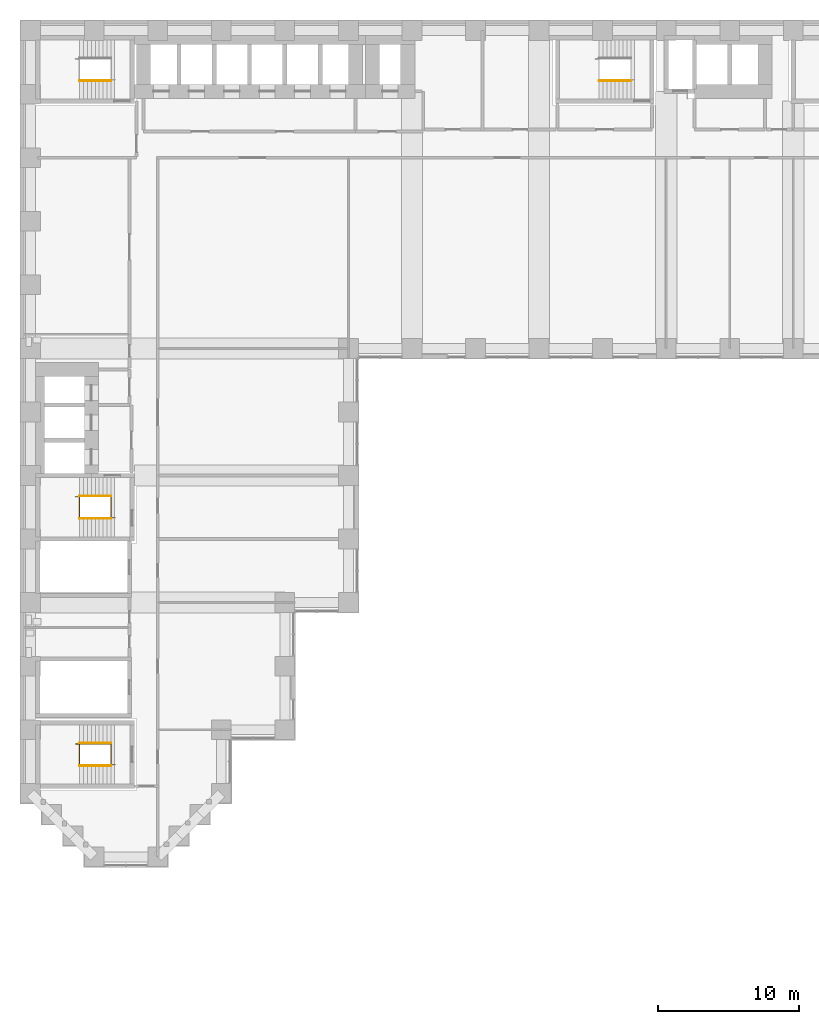
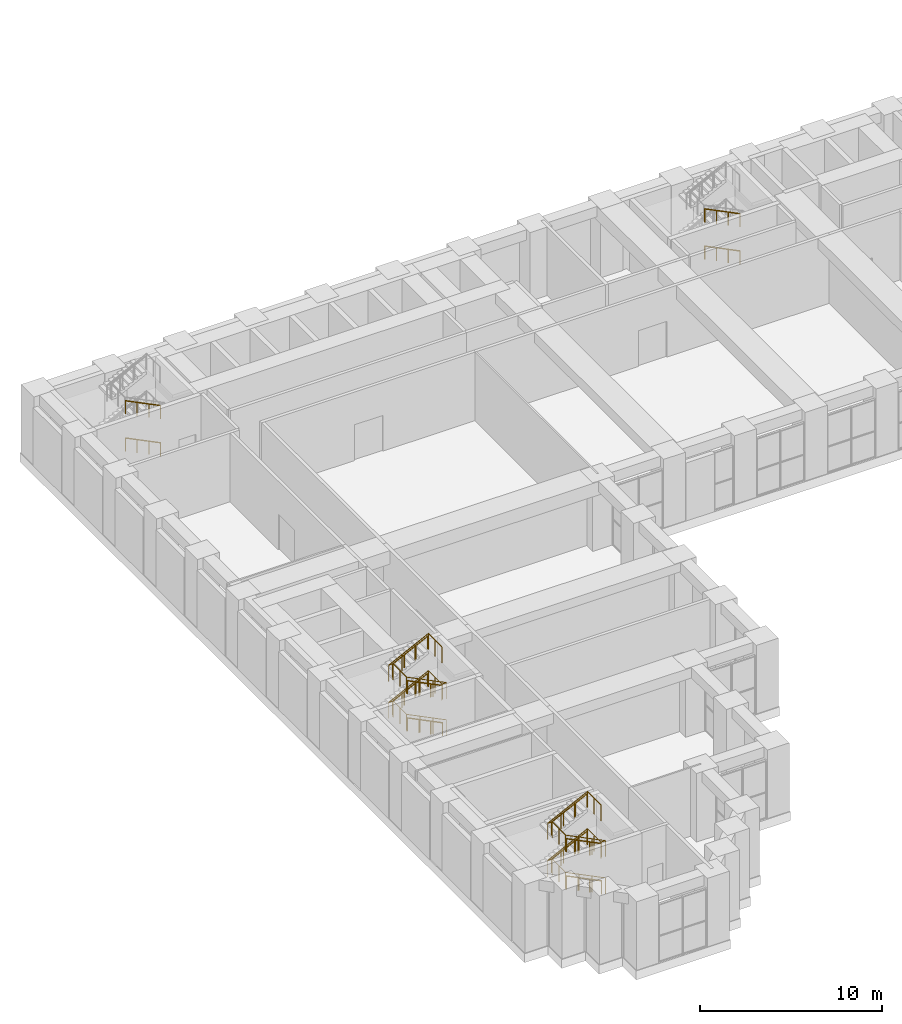
# One storey, part 26 of 30: 14 railings.
"""IFC4 building model written with IfcOpenShell, lengths in metres."""

from ifc_helpers import new_model, si_unit, direction, frame, origin, origin_2d, place, context, subcontext, project, spatial, circle, extrude, material, type_object, element, save


model = new_model("IFC4")

# Units and contexts
model_context = context("Model", 3, precision=1e-05, world=origin(), true_north=direction((0.0, 1.0)))
body_context = subcontext(model_context, "Body", "Model", "MODEL_VIEW")
ifc_project = project(units=[si_unit("LENGTHUNIT", "METRE"), si_unit("AREAUNIT", "SQUARE_METRE"), si_unit("VOLUMEUNIT", "CUBIC_METRE"), si_unit("PLANEANGLEUNIT", "RADIAN"), si_unit("MASSUNIT", "GRAM", prefix="KILO")], contexts=[model_context])

# Site, building, storey
site_placement = place(None, origin())
site = spatial("IfcSite", under=ifc_project, at=site_placement, CompositionType="ELEMENT")
building_placement = place(site_placement, origin())
building = spatial("IfcBuilding", under=site, at=building_placement, Name="Firuza Court", CompositionType="ELEMENT")
storey_placement = place(building_placement, frame((0.0, 0.0, 9.0)))
storey = spatial("IfcBuildingStorey", under=building, at=storey_placement, Name="L01", CompositionType="ELEMENT", Elevation=9.0)

# Railings
ifc_material_1 = material(Name="Steel S355", Category="steel")
railing_type_1 = type_object("IfcRailingType", Name="Handrail 900", PredefinedType="HANDRAIL", material=ifc_material_1)
for number, where, name in (
    (1, (42.5, 54.949951171875, 0.138916015625), "Handrail S1 flight 1"),
    (2, (42.5, 54.949951171875, 2.638916015625), "Handrail S1 flight 3"),
    (3, (5.699951171875, 23.949951171875, 0.138916015625), "Handrail S2 flight 1"),
):
    element("IfcRailing", number, at=place(storey_placement, frame(where)), inside=storey, type_object=railing_type_1, Name=name, PredefinedType="HANDRAIL", context=body_context, shape_type="SweptSolid", body=[
        extrude(circle(Radius=0.02490234375, at=origin_2d()), frame((0.0, 0.0, 0.875), z_axis=(-0.895848192791, 0.0, 0.444360231651), x_axis=(0.0, -1.0, 0.0)), (0.0, 0.0, 1.0), 2.50048828125),
        extrude(circle(Radius=0.02001953125, at=origin_2d()), origin(), (0.0, 0.0, 1.0), 0.849853515625),
        extrude(circle(Radius=0.02001953125, at=origin_2d()), frame((-0.74658203125, 0.0, 0.370361328125)), (0.0, 0.0, 1.0), 0.849853515625),
        extrude(circle(Radius=0.02001953125, at=origin_2d()), frame((-1.493408203125, 0.0, 0.74072265625)), (0.0, 0.0, 1.0), 0.849853515625),
        extrude(circle(Radius=0.02001953125, at=origin_2d()), frame((-2.239990234375, 0.0, 1.111083984375)), (0.0, 0.0, 1.0), 0.849853515625),
    ])
railing_1_placement = place(storey_placement, frame((3.4599609375, 25.550048828125, 1.388916015625)))
element("IfcRailing", 4, at=railing_1_placement, inside=storey, type_object=railing_type_1, Name="Handrail S2 flight 2", PredefinedType="HANDRAIL", context=body_context, shape_type="SweptSolid", body=[
    extrude(circle(Radius=0.02490234375, at=origin_2d()), frame((0.0, 0.0, 0.875), z_axis=(0.895848192791, 0.0, 0.444360231651), x_axis=(0.0, 1.0, 0.0)), (0.0, 0.0, 1.0), 2.50048828125),
    extrude(circle(Radius=0.02001953125, at=origin_2d()), origin(), (0.0, 0.0, 1.0), 0.849853515625),
    extrude(circle(Radius=0.02001953125, at=origin_2d()), frame((0.74658203125, 0.0, 0.370361328125)), (0.0, 0.0, 1.0), 0.849853515625),
    extrude(circle(Radius=0.02001953125, at=origin_2d()), frame((1.493408203125, 0.0, 0.74072265625)), (0.0, 0.0, 1.0), 0.849853515625),
    extrude(circle(Radius=0.02001953125, at=origin_2d()), frame((2.239990234375, 0.0, 1.111083984375)), (0.0, 0.0, 1.0), 0.849853515625),
])
railing_2_placement = place(storey_placement, frame((5.699951171875, 23.949951171875, 2.638916015625)))
element("IfcRailing", 5, at=railing_2_placement, inside=storey, type_object=railing_type_1, Name="Handrail S2 flight 3", PredefinedType="HANDRAIL", context=body_context, shape_type="SweptSolid", body=[
    extrude(circle(Radius=0.02490234375, at=origin_2d()), frame((0.0, 0.0, 0.875), z_axis=(-0.895848192791, 0.0, 0.444360231651), x_axis=(0.0, -1.0, 0.0)), (0.0, 0.0, 1.0), 2.50048828125),
    extrude(circle(Radius=0.02001953125, at=origin_2d()), origin(), (0.0, 0.0, 1.0), 0.849853515625),
    extrude(circle(Radius=0.02001953125, at=origin_2d()), frame((-0.74658203125, 0.0, 0.370361328125)), (0.0, 0.0, 1.0), 0.849853515625),
    extrude(circle(Radius=0.02001953125, at=origin_2d()), frame((-1.493408203125, 0.0, 0.74072265625)), (0.0, 0.0, 1.0), 0.849853515625),
    extrude(circle(Radius=0.02001953125, at=origin_2d()), frame((-2.239990234375, 0.0, 1.111083984375)), (0.0, 0.0, 1.0), 0.849853515625),
])
railing_3_placement = place(storey_placement, frame((3.4599609375, 25.550048828125, 3.888916015625)))
element("IfcRailing", 6, at=railing_3_placement, inside=storey, type_object=railing_type_1, Name="Handrail S2 flight 4", PredefinedType="HANDRAIL", context=body_context, shape_type="SweptSolid", body=[
    extrude(circle(Radius=0.02490234375, at=origin_2d()), frame((0.0, 0.0, 0.875), z_axis=(0.895848192791, 0.0, 0.444360231651), x_axis=(0.0, 1.0, 0.0)), (0.0, 0.0, 1.0), 2.50048828125),
    extrude(circle(Radius=0.02001953125, at=origin_2d()), origin(), (0.0, 0.0, 1.0), 0.849853515625),
    extrude(circle(Radius=0.02001953125, at=origin_2d()), frame((0.74658203125, 0.0, 0.370361328125)), (0.0, 0.0, 1.0), 0.849853515625),
    extrude(circle(Radius=0.02001953125, at=origin_2d()), frame((1.493408203125, 0.0, 0.74072265625)), (0.0, 0.0, 1.0), 0.849853515625),
    extrude(circle(Radius=0.02001953125, at=origin_2d()), frame((2.239990234375, 0.0, 1.111083984375)), (0.0, 0.0, 1.0), 0.849853515625),
])
for number, where, name in (
    (7, (5.699951171875, 54.949951171875, 0.138916015625), "Handrail S3 flight 1"),
    (8, (5.699951171875, 54.949951171875, 2.638916015625), "Handrail S3 flight 3"),
    (9, (5.699951171875, 6.449951171875, 0.138916015625), "Handrail S5 flight 1"),
):
    element("IfcRailing", number, at=place(storey_placement, frame(where)), inside=storey, type_object=railing_type_1, Name=name, PredefinedType="HANDRAIL", context=body_context, shape_type="SweptSolid", body=[
        extrude(circle(Radius=0.02490234375, at=origin_2d()), frame((0.0, 0.0, 0.875), z_axis=(-0.895848192791, 0.0, 0.444360231651), x_axis=(0.0, -1.0, 0.0)), (0.0, 0.0, 1.0), 2.50048828125),
        extrude(circle(Radius=0.02001953125, at=origin_2d()), origin(), (0.0, 0.0, 1.0), 0.849853515625),
        extrude(circle(Radius=0.02001953125, at=origin_2d()), frame((-0.74658203125, 0.0, 0.370361328125)), (0.0, 0.0, 1.0), 0.849853515625),
        extrude(circle(Radius=0.02001953125, at=origin_2d()), frame((-1.493408203125, 0.0, 0.74072265625)), (0.0, 0.0, 1.0), 0.849853515625),
        extrude(circle(Radius=0.02001953125, at=origin_2d()), frame((-2.239990234375, 0.0, 1.111083984375)), (0.0, 0.0, 1.0), 0.849853515625),
    ])
railing_4_placement = place(storey_placement, frame((3.4599609375, 8.050048828125, 1.388916015625)))
element("IfcRailing", 10, at=railing_4_placement, inside=storey, type_object=railing_type_1, Name="Handrail S5 flight 2", PredefinedType="HANDRAIL", context=body_context, shape_type="SweptSolid", body=[
    extrude(circle(Radius=0.02490234375, at=origin_2d()), frame((0.0, 0.0, 0.875), z_axis=(0.895848192791, 0.0, 0.444360231651), x_axis=(0.0, 1.0, 0.0)), (0.0, 0.0, 1.0), 2.50048828125),
    extrude(circle(Radius=0.02001953125, at=origin_2d()), origin(), (0.0, 0.0, 1.0), 0.849853515625),
    extrude(circle(Radius=0.02001953125, at=origin_2d()), frame((0.74658203125, 0.0, 0.370361328125)), (0.0, 0.0, 1.0), 0.849853515625),
    extrude(circle(Radius=0.02001953125, at=origin_2d()), frame((1.493408203125, 0.0, 0.74072265625)), (0.0, 0.0, 1.0), 0.849853515625),
    extrude(circle(Radius=0.02001953125, at=origin_2d()), frame((2.239990234375, 0.0, 1.111083984375)), (0.0, 0.0, 1.0), 0.849853515625),
])
railing_5_placement = place(storey_placement, frame((5.699951171875, 6.449951171875, 2.638916015625)))
element("IfcRailing", 11, at=railing_5_placement, inside=storey, type_object=railing_type_1, Name="Handrail S5 flight 3", PredefinedType="HANDRAIL", context=body_context, shape_type="SweptSolid", body=[
    extrude(circle(Radius=0.02490234375, at=origin_2d()), frame((0.0, 0.0, 0.875), z_axis=(-0.895848192791, 0.0, 0.444360231651), x_axis=(0.0, -1.0, 0.0)), (0.0, 0.0, 1.0), 2.50048828125),
    extrude(circle(Radius=0.02001953125, at=origin_2d()), origin(), (0.0, 0.0, 1.0), 0.849853515625),
    extrude(circle(Radius=0.02001953125, at=origin_2d()), frame((-0.74658203125, 0.0, 0.370361328125)), (0.0, 0.0, 1.0), 0.849853515625),
    extrude(circle(Radius=0.02001953125, at=origin_2d()), frame((-1.493408203125, 0.0, 0.74072265625)), (0.0, 0.0, 1.0), 0.849853515625),
    extrude(circle(Radius=0.02001953125, at=origin_2d()), frame((-2.239990234375, 0.0, 1.111083984375)), (0.0, 0.0, 1.0), 0.849853515625),
])
railing_6_placement = place(storey_placement, frame((3.4599609375, 8.050048828125, 3.888916015625)))
element("IfcRailing", 12, at=railing_6_placement, inside=storey, type_object=railing_type_1, Name="Handrail S5 flight 4", PredefinedType="HANDRAIL", context=body_context, shape_type="SweptSolid", body=[
    extrude(circle(Radius=0.02490234375, at=origin_2d()), frame((0.0, 0.0, 0.875), z_axis=(0.895848192791, 0.0, 0.444360231651), x_axis=(0.0, 1.0, 0.0)), (0.0, 0.0, 1.0), 2.50048828125),
    extrude(circle(Radius=0.02001953125, at=origin_2d()), origin(), (0.0, 0.0, 1.0), 0.849853515625),
    extrude(circle(Radius=0.02001953125, at=origin_2d()), frame((0.74658203125, 0.0, 0.370361328125)), (0.0, 0.0, 1.0), 0.849853515625),
    extrude(circle(Radius=0.02001953125, at=origin_2d()), frame((1.493408203125, 0.0, 0.74072265625)), (0.0, 0.0, 1.0), 0.849853515625),
    extrude(circle(Radius=0.02001953125, at=origin_2d()), frame((2.239990234375, 0.0, 1.111083984375)), (0.0, 0.0, 1.0), 0.849853515625),
])
ifc_material_2 = material(Name="Steel S355", Category="steel")
railing_type_2 = type_object("IfcRailingType", Name="Stair guard 1100", PredefinedType="GUARDRAIL", material=ifc_material_2)
railing_7_placement = place(storey_placement, frame((5.97998046875, 24.010009765625, 0.0)))
element("IfcRailing", 13, at=railing_7_placement, inside=storey, type_object=railing_type_2, Name="Stair well guard S2", PredefinedType="GUARDRAIL", context=body_context, shape_type="SweptSolid", body=[
    extrude(circle(Radius=0.02490234375, at=origin_2d()), frame((0.0, 0.0, 1.0751953125), z_axis=(-0.89584601627, 0.0, 0.44436461958), x_axis=(0.0, -1.0, 0.0)), (0.0, 0.0, 1.0), 2.81298828125),
    extrude(circle(Radius=0.02490234375, at=origin_2d()), frame((-2.52001953125, 0.0, 2.3251953125), z_axis=(0.0, 1.0, 0.0), x_axis=(-1.0, 0.0, 0.0)), (0.0, 0.0, 1.0), 1.47998046875),
    extrude(circle(Radius=0.02490234375, at=origin_2d()), frame((-2.52001953125, 1.47998046875, 2.3251953125), z_axis=(-1.0, 0.0, 0.0), x_axis=(0.0, -1.0, 0.0)), (0.0, 0.0, 1.0), 0.280029296875),
    extrude(circle(Radius=0.02490234375, at=origin_2d()), frame((-2.800048828125, 1.47998046875, 2.3251953125), z_axis=(0.89584601627, 0.0, 0.44436461958), x_axis=(0.0, 1.0, 0.0)), (0.0, 0.0, 1.0), 2.81298828125),
    extrude(circle(Radius=0.02490234375, at=origin_2d()), frame((-0.280029296875, 1.47998046875, 3.5751953125), z_axis=(0.0, -1.0, 0.0), x_axis=(1.0, 0.0, 0.0)), (0.0, 0.0, 1.0), 1.47998046875),
    extrude(circle(Radius=0.02490234375, at=origin_2d()), frame((-0.280029296875, 0.0, 3.5751953125), z_axis=(1.0, 0.0, 0.0), x_axis=(0.0, 1.0, 0.0)), (0.0, 0.0, 1.0), 0.280029296875),
    extrude(circle(Radius=0.02490234375, at=origin_2d()), frame((0.0, 0.0, 3.5751953125), z_axis=(-0.89584601627, 0.0, 0.44436461958), x_axis=(0.0, -1.0, 0.0)), (0.0, 0.0, 1.0), 2.81298828125),
    extrude(circle(Radius=0.02490234375, at=origin_2d()), frame((-2.52001953125, 0.0, 4.8251953125), z_axis=(0.0, 1.0, 0.0), x_axis=(-1.0, 0.0, 0.0)), (0.0, 0.0, 1.0), 1.47998046875),
    extrude(circle(Radius=0.02490234375, at=origin_2d()), frame((-2.52001953125, 1.47998046875, 4.8251953125), z_axis=(-1.0, 0.0, 0.0), x_axis=(0.0, -1.0, 0.0)), (0.0, 0.0, 1.0), 0.280029296875),
    extrude(circle(Radius=0.02490234375, at=origin_2d()), frame((-2.800048828125, 1.47998046875, 4.8251953125), z_axis=(0.89584601627, 0.0, 0.44436461958), x_axis=(0.0, 1.0, 0.0)), (0.0, 0.0, 1.0), 2.81298828125),
    extrude(circle(Radius=0.02490234375, at=origin_2d()), frame((-0.280029296875, 1.47998046875, 6.0751953125), z_axis=(0.0, -1.0, 0.0), x_axis=(1.0, 0.0, 0.0)), (0.0, 0.0, 1.0), 1.47998046875),
    extrude(circle(Radius=0.02490234375, at=origin_2d()), origin(), (0.0, 0.0, 1.0), 1.050048828125),
    extrude(circle(Radius=0.02490234375, at=origin_2d()), frame((-0.840087890625, 0.0, 0.416748046875)), (0.0, 0.0, 1.0), 1.050048828125),
    extrude(circle(Radius=0.02490234375, at=origin_2d()), frame((-1.679931640625, 0.0, 0.833251953125)), (0.0, 0.0, 1.0), 1.050048828125),
    extrude(circle(Radius=0.02490234375, at=origin_2d()), frame((-2.52001953125, 0.0, 1.25)), (0.0, 0.0, 1.0), 1.050048828125),
    extrude(circle(Radius=0.02490234375, at=origin_2d()), frame((-2.52001953125, 0.739990234375, 1.25)), (0.0, 0.0, 1.0), 1.050048828125),
    extrude(circle(Radius=0.02490234375, at=origin_2d()), frame((-2.52001953125, 1.47998046875, 1.25)), (0.0, 0.0, 1.0), 1.050048828125),
    extrude(circle(Radius=0.02490234375, at=origin_2d()), frame((-2.800048828125, 1.47998046875, 1.25)), (0.0, 0.0, 1.0), 1.050048828125),
    extrude(circle(Radius=0.02490234375, at=origin_2d()), frame((-1.9599609375, 1.47998046875, 1.666748046875)), (0.0, 0.0, 1.0), 1.050048828125),
    extrude(circle(Radius=0.02490234375, at=origin_2d()), frame((-1.1201171875, 1.47998046875, 2.083251953125)), (0.0, 0.0, 1.0), 1.050048828125),
    extrude(circle(Radius=0.02490234375, at=origin_2d()), frame((-0.280029296875, 1.47998046875, 2.5)), (0.0, 0.0, 1.0), 1.050048828125),
    extrude(circle(Radius=0.02490234375, at=origin_2d()), frame((-0.280029296875, 0.739990234375, 2.5)), (0.0, 0.0, 1.0), 1.050048828125),
    extrude(circle(Radius=0.02490234375, at=origin_2d()), frame((-0.280029296875, 0.0, 2.5)), (0.0, 0.0, 1.0), 1.050048828125),
    extrude(circle(Radius=0.02490234375, at=origin_2d()), frame((0.0, 0.0, 2.5)), (0.0, 0.0, 1.0), 1.050048828125),
    extrude(circle(Radius=0.02490234375, at=origin_2d()), frame((-0.840087890625, 0.0, 2.916748046875)), (0.0, 0.0, 1.0), 1.050048828125),
    extrude(circle(Radius=0.02490234375, at=origin_2d()), frame((-1.679931640625, 0.0, 3.333251953125)), (0.0, 0.0, 1.0), 1.050048828125),
    extrude(circle(Radius=0.02490234375, at=origin_2d()), frame((-2.52001953125, 0.0, 3.75)), (0.0, 0.0, 1.0), 1.050048828125),
    extrude(circle(Radius=0.02490234375, at=origin_2d()), frame((-2.52001953125, 0.739990234375, 3.75)), (0.0, 0.0, 1.0), 1.050048828125),
    extrude(circle(Radius=0.02490234375, at=origin_2d()), frame((-2.52001953125, 1.47998046875, 3.75)), (0.0, 0.0, 1.0), 1.050048828125),
    extrude(circle(Radius=0.02490234375, at=origin_2d()), frame((-2.800048828125, 1.47998046875, 3.75)), (0.0, 0.0, 1.0), 1.050048828125),
    extrude(circle(Radius=0.02490234375, at=origin_2d()), frame((-1.9599609375, 1.47998046875, 4.166748046875)), (0.0, 0.0, 1.0), 1.050048828125),
    extrude(circle(Radius=0.02490234375, at=origin_2d()), frame((-1.1201171875, 1.47998046875, 4.583251953125)), (0.0, 0.0, 1.0), 1.050048828125),
    extrude(circle(Radius=0.02490234375, at=origin_2d()), frame((-0.280029296875, 1.47998046875, 5.0)), (0.0, 0.0, 1.0), 1.050048828125),
    extrude(circle(Radius=0.02490234375, at=origin_2d()), frame((-0.280029296875, 0.739990234375, 5.0)), (0.0, 0.0, 1.0), 1.050048828125),
    extrude(circle(Radius=0.02490234375, at=origin_2d()), frame((-0.280029296875, 0.0, 5.0)), (0.0, 0.0, 1.0), 1.050048828125),
])
railing_8_placement = place(storey_placement, frame((5.97998046875, 6.510009765625, 0.0)))
element("IfcRailing", 14, at=railing_8_placement, inside=storey, type_object=railing_type_2, Name="Stair well guard S5", PredefinedType="GUARDRAIL", context=body_context, shape_type="SweptSolid", body=[
    extrude(circle(Radius=0.02490234375, at=origin_2d()), frame((0.0, 0.0, 1.0751953125), z_axis=(-0.89584601627, 0.0, 0.44436461958), x_axis=(0.0, -1.0, 0.0)), (0.0, 0.0, 1.0), 2.81298828125),
    extrude(circle(Radius=0.02490234375, at=origin_2d()), frame((-2.52001953125, 0.0, 2.3251953125), z_axis=(0.0, 1.0, 0.0), x_axis=(-1.0, 0.0, 0.0)), (0.0, 0.0, 1.0), 1.47998046875),
    extrude(circle(Radius=0.02490234375, at=origin_2d()), frame((-2.52001953125, 1.47998046875, 2.3251953125), z_axis=(-1.0, 0.0, 0.0), x_axis=(0.0, -1.0, 0.0)), (0.0, 0.0, 1.0), 0.280029296875),
    extrude(circle(Radius=0.02490234375, at=origin_2d()), frame((-2.800048828125, 1.47998046875, 2.3251953125), z_axis=(0.89584601627, 0.0, 0.44436461958), x_axis=(0.0, 1.0, 0.0)), (0.0, 0.0, 1.0), 2.81298828125),
    extrude(circle(Radius=0.02490234375, at=origin_2d()), frame((-0.280029296875, 1.47998046875, 3.5751953125), z_axis=(0.0, -1.0, 0.0), x_axis=(1.0, 0.0, 0.0)), (0.0, 0.0, 1.0), 1.47998046875),
    extrude(circle(Radius=0.02490234375, at=origin_2d()), frame((-0.280029296875, 0.0, 3.5751953125), z_axis=(1.0, 0.0, 0.0), x_axis=(0.0, 1.0, 0.0)), (0.0, 0.0, 1.0), 0.280029296875),
    extrude(circle(Radius=0.02490234375, at=origin_2d()), frame((0.0, 0.0, 3.5751953125), z_axis=(-0.89584601627, 0.0, 0.44436461958), x_axis=(0.0, -1.0, 0.0)), (0.0, 0.0, 1.0), 2.81298828125),
    extrude(circle(Radius=0.02490234375, at=origin_2d()), frame((-2.52001953125, 0.0, 4.8251953125), z_axis=(0.0, 1.0, 0.0), x_axis=(-1.0, 0.0, 0.0)), (0.0, 0.0, 1.0), 1.47998046875),
    extrude(circle(Radius=0.02490234375, at=origin_2d()), frame((-2.52001953125, 1.47998046875, 4.8251953125), z_axis=(-1.0, 0.0, 0.0), x_axis=(0.0, -1.0, 0.0)), (0.0, 0.0, 1.0), 0.280029296875),
    extrude(circle(Radius=0.02490234375, at=origin_2d()), frame((-2.800048828125, 1.47998046875, 4.8251953125), z_axis=(0.89584601627, 0.0, 0.44436461958), x_axis=(0.0, 1.0, 0.0)), (0.0, 0.0, 1.0), 2.81298828125),
    extrude(circle(Radius=0.02490234375, at=origin_2d()), frame((-0.280029296875, 1.47998046875, 6.0751953125), z_axis=(0.0, -1.0, 0.0), x_axis=(1.0, 0.0, 0.0)), (0.0, 0.0, 1.0), 1.47998046875),
    extrude(circle(Radius=0.02490234375, at=origin_2d()), origin(), (0.0, 0.0, 1.0), 1.050048828125),
    extrude(circle(Radius=0.02490234375, at=origin_2d()), frame((-0.840087890625, 0.0, 0.416748046875)), (0.0, 0.0, 1.0), 1.050048828125),
    extrude(circle(Radius=0.02490234375, at=origin_2d()), frame((-1.679931640625, 0.0, 0.833251953125)), (0.0, 0.0, 1.0), 1.050048828125),
    extrude(circle(Radius=0.02490234375, at=origin_2d()), frame((-2.52001953125, 0.0, 1.25)), (0.0, 0.0, 1.0), 1.050048828125),
    extrude(circle(Radius=0.02490234375, at=origin_2d()), frame((-2.52001953125, 0.739990234375, 1.25)), (0.0, 0.0, 1.0), 1.050048828125),
    extrude(circle(Radius=0.02490234375, at=origin_2d()), frame((-2.52001953125, 1.47998046875, 1.25)), (0.0, 0.0, 1.0), 1.050048828125),
    extrude(circle(Radius=0.02490234375, at=origin_2d()), frame((-2.800048828125, 1.47998046875, 1.25)), (0.0, 0.0, 1.0), 1.050048828125),
    extrude(circle(Radius=0.02490234375, at=origin_2d()), frame((-1.9599609375, 1.47998046875, 1.666748046875)), (0.0, 0.0, 1.0), 1.050048828125),
    extrude(circle(Radius=0.02490234375, at=origin_2d()), frame((-1.1201171875, 1.47998046875, 2.083251953125)), (0.0, 0.0, 1.0), 1.050048828125),
    extrude(circle(Radius=0.02490234375, at=origin_2d()), frame((-0.280029296875, 1.47998046875, 2.5)), (0.0, 0.0, 1.0), 1.050048828125),
    extrude(circle(Radius=0.02490234375, at=origin_2d()), frame((-0.280029296875, 0.739990234375, 2.5)), (0.0, 0.0, 1.0), 1.050048828125),
    extrude(circle(Radius=0.02490234375, at=origin_2d()), frame((-0.280029296875, 0.0, 2.5)), (0.0, 0.0, 1.0), 1.050048828125),
    extrude(circle(Radius=0.02490234375, at=origin_2d()), frame((0.0, 0.0, 2.5)), (0.0, 0.0, 1.0), 1.050048828125),
    extrude(circle(Radius=0.02490234375, at=origin_2d()), frame((-0.840087890625, 0.0, 2.916748046875)), (0.0, 0.0, 1.0), 1.050048828125),
    extrude(circle(Radius=0.02490234375, at=origin_2d()), frame((-1.679931640625, 0.0, 3.333251953125)), (0.0, 0.0, 1.0), 1.050048828125),
    extrude(circle(Radius=0.02490234375, at=origin_2d()), frame((-2.52001953125, 0.0, 3.75)), (0.0, 0.0, 1.0), 1.050048828125),
    extrude(circle(Radius=0.02490234375, at=origin_2d()), frame((-2.52001953125, 0.739990234375, 3.75)), (0.0, 0.0, 1.0), 1.050048828125),
    extrude(circle(Radius=0.02490234375, at=origin_2d()), frame((-2.52001953125, 1.47998046875, 3.75)), (0.0, 0.0, 1.0), 1.050048828125),
    extrude(circle(Radius=0.02490234375, at=origin_2d()), frame((-2.800048828125, 1.47998046875, 3.75)), (0.0, 0.0, 1.0), 1.050048828125),
    extrude(circle(Radius=0.02490234375, at=origin_2d()), frame((-1.9599609375, 1.47998046875, 4.166748046875)), (0.0, 0.0, 1.0), 1.050048828125),
    extrude(circle(Radius=0.02490234375, at=origin_2d()), frame((-1.1201171875, 1.47998046875, 4.583251953125)), (0.0, 0.0, 1.0), 1.050048828125),
    extrude(circle(Radius=0.02490234375, at=origin_2d()), frame((-0.280029296875, 1.47998046875, 5.0)), (0.0, 0.0, 1.0), 1.050048828125),
    extrude(circle(Radius=0.02490234375, at=origin_2d()), frame((-0.280029296875, 0.739990234375, 5.0)), (0.0, 0.0, 1.0), 1.050048828125),
    extrude(circle(Radius=0.02490234375, at=origin_2d()), frame((-0.280029296875, 0.0, 5.0)), (0.0, 0.0, 1.0), 1.050048828125),
])

save(model, "model.ifc")
